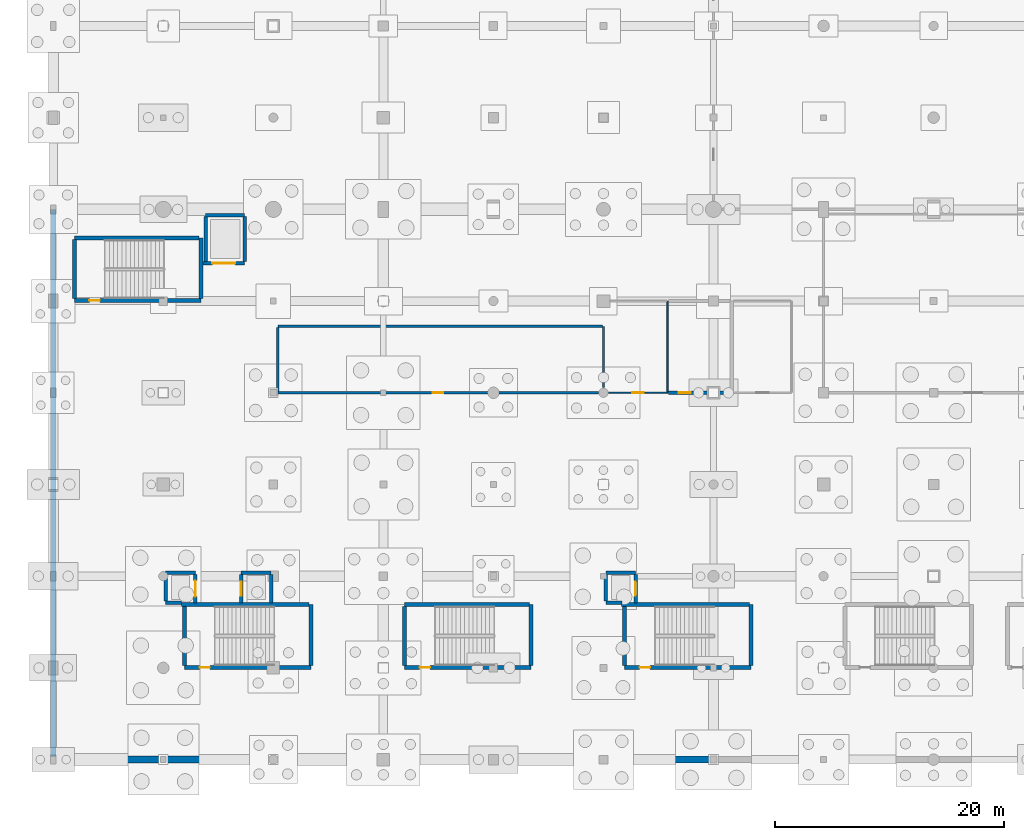
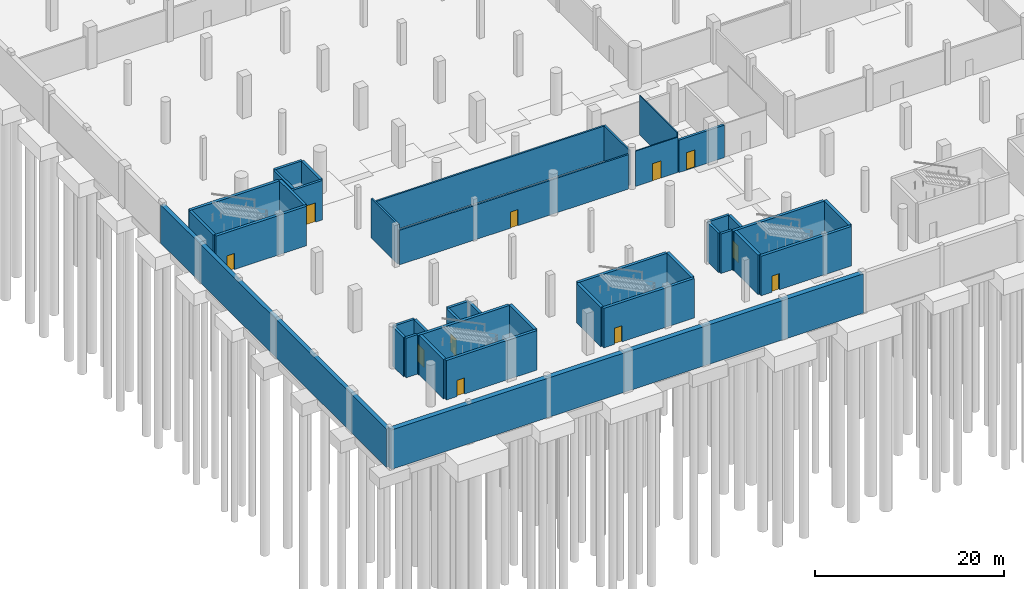
# One storey, part 18 of 44: 40 walls, 11 doors, 11 openings.
"""IFC4 building model written with IfcOpenShell, lengths in metres."""

from ifc_helpers import new_model, si_unit, direction, frame, frame_2d, origin, place, context, subcontext, project, spatial, rectangle, extrude, material, layer, layer_set, type_object, element, fill, save


model = new_model("IFC4")

# Units and contexts
model_context = context("Model", 3, precision=1e-05, world=origin(), true_north=direction((0.0, 1.0)))
body_context = subcontext(model_context, "Body", "Model", "MODEL_VIEW")
ifc_project = project(units=[si_unit("LENGTHUNIT", "METRE"), si_unit("AREAUNIT", "SQUARE_METRE"), si_unit("VOLUMEUNIT", "CUBIC_METRE"), si_unit("PLANEANGLEUNIT", "RADIAN"), si_unit("MASSUNIT", "GRAM", prefix="KILO")], contexts=[model_context])

# Site, building, storey
site_placement = place(None, origin())
site = spatial("IfcSite", under=ifc_project, at=site_placement, CompositionType="ELEMENT")
building_placement = place(site_placement, origin())
building = spatial("IfcBuilding", under=site, at=building_placement, Name="Danafjord Basin Convention Centre", CompositionType="ELEMENT")
storey_placement = place(building_placement, frame((0.0, 0.0, -5.39990234375)))
storey = spatial("IfcBuildingStorey", under=building, at=storey_placement, Name="B1", CompositionType="ELEMENT", Elevation=-5.39990234375)

# Walls
ifc_material_1 = material(Name="Concrete C40/50", Category="concrete")
ifc_layer_1 = layer(ifc_material_1, 0.300048828125)
ifc_layer_set_1 = layer_set([ifc_layer_1], Name="Concrete C40/50")
wall_type_1 = type_object("IfcWallType", Name="WALL-CW-CORE300", PredefinedType="SHEAR", material=ifc_layer_set_1)
wall_1_placement = place(storey_placement, frame((12.39990234375, 24.300048828125, 0.0), z_axis=(0.0, 0.0, 1.0), x_axis=(-1.0, 0.0, 0.0)))
element("IfcWall", 1, at=wall_1_placement, inside=storey, type_object=wall_type_1, Name="Lift LF-FF01 shaft shear wall", PredefinedType="SHEAR", context=body_context, shape_type="SweptSolid", body=[
    extrude(rectangle(XDim=2.599853515625, YDim=0.300048828125, at=frame_2d((1.2998046875, 0.0))), origin(), (0.0, 0.0, 1.0), 5.08984375),
])
wall_2_placement = place(storey_placement, frame((9.800048828125, 21.699951171875, 0.0), z_axis=(0.0, 0.0, 1.0), x_axis=(1.0, 0.0, 0.0)))
element("IfcWall", 2, at=wall_2_placement, inside=storey, type_object=wall_type_1, Name="Lift LF-FF01 shaft shear wall", PredefinedType="SHEAR", context=body_context, shape_type="SweptSolid", body=[
    extrude(rectangle(XDim=1.39990234375, YDim=0.300048828125, at=frame_2d((0.699951171875, 0.0))), origin(), (0.0, 0.0, 1.0), 5.08984375),
])

# Wall, opening, door
wall_3_placement = place(storey_placement, frame((12.39990234375, 21.6650390625, 0.0), z_axis=(0.0, 0.0, 1.0), x_axis=(0.0, 1.0, 0.0)))
wall_3 = element("IfcWall", 3, at=wall_3_placement, inside=storey, type_object=wall_type_1, Name="Lift LF-FF01 shaft shear wall", PredefinedType="SHEAR", context=body_context, shape_type="SweptSolid", body=[
    extrude(rectangle(XDim=2.5, YDim=0.300048828125, at=frame_2d((1.25, 0.0))), origin(), (0.0, 0.0, 1.0), 5.08984375),
])
opening_1_placement = place(wall_3_placement, frame((0.550048828125, 0.0, 0.0)))
opening_1 = element("IfcOpeningElement", 4, at=opening_1_placement, cuts=wall_3, Name="Opening LD-F01", PredefinedType="OPENING", context=body_context, shape_type="SweptSolid", body=[
    extrude(rectangle(XDim=1.39990234375, YDim=2.260009765625, at=frame_2d((0.699951171875, 1.1298828125))), frame((0.0, 0.159912109375, 0.0), z_axis=(0.0, -1.0, 0.0), x_axis=(1.0, 0.0, 0.0)), (0.0, 0.0, 1.0), 0.320068359375),
])
ifc_material_2 = material(Name="Brushed stainless steel and acoustic laminated glass", Category="steel")
door_type_1 = type_object("IfcDoorType", Name="DOOR-LD-F01", OperationType="DOUBLE_DOOR_SLIDING", PredefinedType="DOOR", material=ifc_material_2)
door_1_placement = place(opening_1_placement, origin())
door_1 = element("IfcDoor", 5, at=door_1_placement, inside=storey, type_object=door_type_1, Name="Lift LF-FF01 B1 Landing Door", OperationType="DOUBLE_DOOR_SLIDING", OverallHeight=2.260009765625, OverallWidth=1.39990234375, PredefinedType="DOOR", context=body_context, shape_type="SweptSolid", body=[
    extrude(rectangle(XDim=1.39990234375, YDim=2.260009765625, at=frame_2d((0.699951171875, 1.1298828125))), frame((0.0, 0.02490234375, 0.0), z_axis=(0.0, -1.0, 0.0), x_axis=(1.0, 0.0, 0.0)), (0.0, 0.0, 1.0), 0.050048828125),
])
fill(opening_1, door_1)

# Walls
wall_4_placement = place(storey_placement, frame((9.800048828125, 24.1650390625, 0.0), z_axis=(0.0, 0.0, 1.0), x_axis=(0.0, -1.0, 0.0)))
element("IfcWall", 6, at=wall_4_placement, inside=storey, type_object=wall_type_1, Name="Lift LF-FF01 shaft shear wall", PredefinedType="SHEAR", context=body_context, shape_type="SweptSolid", body=[
    extrude(rectangle(XDim=2.330078125, YDim=0.300048828125, at=frame_2d((1.1650390625, 0.0))), origin(), (0.0, 0.0, 1.0), 5.08984375),
])
wall_5_placement = place(storey_placement, frame((19.0, 24.300048828125, 0.0), z_axis=(0.0, 0.0, 1.0), x_axis=(-1.0, 0.0, 0.0)))
element("IfcWall", 7, at=wall_5_placement, inside=storey, type_object=wall_type_1, Name="Lift LF-P01 shaft shear wall", PredefinedType="SHEAR", context=body_context, shape_type="SweptSolid", body=[
    extrude(rectangle(XDim=2.60009765625, YDim=0.300048828125, at=frame_2d((1.300048828125, 0.0))), origin(), (0.0, 0.0, 1.0), 5.08984375),
])
wall_6_placement = place(storey_placement, frame((19.0, 21.6650390625, 0.0), z_axis=(0.0, 0.0, 1.0), x_axis=(0.0, 1.0, 0.0)))
element("IfcWall", 8, at=wall_6_placement, inside=storey, type_object=wall_type_1, Name="Lift LF-P01 shaft shear wall", PredefinedType="SHEAR", context=body_context, shape_type="SweptSolid", body=[
    extrude(rectangle(XDim=2.5, YDim=0.300048828125, at=frame_2d((1.25, 0.0))), origin(), (0.0, 0.0, 1.0), 5.08984375),
])

# Wall, opening, door
wall_7_placement = place(storey_placement, frame((16.39990234375, 24.1650390625, 0.0), z_axis=(0.0, 0.0, 1.0), x_axis=(0.0, -1.0, 0.0)))
wall_7 = element("IfcWall", 9, at=wall_7_placement, inside=storey, type_object=wall_type_1, Name="Lift LF-P01 shaft shear wall", PredefinedType="SHEAR", context=body_context, shape_type="SweptSolid", body=[
    extrude(rectangle(XDim=2.5, YDim=0.300048828125, at=frame_2d((1.25, 0.0))), origin(), (0.0, 0.0, 1.0), 5.08984375),
])
opening_2_placement = place(wall_7_placement, frame((0.64990234375, 0.0, 0.0)))
opening_2 = element("IfcOpeningElement", 10, at=opening_2_placement, cuts=wall_7, Name="Opening LD-P01", PredefinedType="OPENING", context=body_context, shape_type="SweptSolid", body=[
    extrude(rectangle(XDim=1.199951171875, YDim=2.199951171875, at=frame_2d((0.60009765625, 1.10009765625))), frame((0.0, 0.159912109375, 0.0), z_axis=(0.0, -1.0, 0.0), x_axis=(1.0, 0.0, 0.0)), (0.0, 0.0, 1.0), 0.320068359375),
])
door_type_2 = type_object("IfcDoorType", Name="DOOR-LD-P01", OperationType="DOUBLE_DOOR_SLIDING", PredefinedType="DOOR", material=ifc_material_2)
door_2_placement = place(opening_2_placement, origin())
door_2 = element("IfcDoor", 11, at=door_2_placement, inside=storey, type_object=door_type_2, Name="Lift LF-P01 B1 Landing Door", OperationType="DOUBLE_DOOR_SLIDING", OverallHeight=2.199951171875, OverallWidth=1.199951171875, PredefinedType="DOOR", context=body_context, shape_type="SweptSolid", body=[
    extrude(rectangle(XDim=1.199951171875, YDim=2.199951171875, at=frame_2d((0.60009765625, 1.10009765625))), frame((0.0, 0.02490234375, 0.0), z_axis=(0.0, -1.0, 0.0), x_axis=(1.0, 0.0, 0.0)), (0.0, 0.0, 1.0), 0.050048828125),
])
fill(opening_2, door_2)

# Walls
wall_8_placement = place(storey_placement, frame((50.800048828125, 24.300048828125, 0.0), z_axis=(0.0, 0.0, 1.0), x_axis=(-1.0, 0.0, 0.0)))
element("IfcWall", 12, at=wall_8_placement, inside=storey, type_object=wall_type_1, Name="Lift LF-P03 shaft shear wall", PredefinedType="SHEAR", context=body_context, shape_type="SweptSolid", body=[
    extrude(rectangle(XDim=2.60009765625, YDim=0.300048828125, at=frame_2d((1.300048828125, 0.0))), origin(), (0.0, 0.0, 1.0), 5.08984375),
])
wall_9_placement = place(storey_placement, frame((48.199951171875, 21.699951171875, 0.0), z_axis=(0.0, 0.0, 1.0), x_axis=(1.0, 0.0, 0.0)))
element("IfcWall", 13, at=wall_9_placement, inside=storey, type_object=wall_type_1, Name="Lift LF-P03 shaft shear wall", PredefinedType="SHEAR", context=body_context, shape_type="SweptSolid", body=[
    extrude(rectangle(XDim=1.400146484375, YDim=0.300048828125, at=frame_2d((0.7001953125, 0.0))), origin(), (0.0, 0.0, 1.0), 5.08984375),
])

# Wall, opening, door
wall_10_placement = place(storey_placement, frame((50.800048828125, 21.6650390625, 0.0), z_axis=(0.0, 0.0, 1.0), x_axis=(0.0, 1.0, 0.0)))
wall_10 = element("IfcWall", 14, at=wall_10_placement, inside=storey, type_object=wall_type_1, Name="Lift LF-P03 shaft shear wall", PredefinedType="SHEAR", context=body_context, shape_type="SweptSolid", body=[
    extrude(rectangle(XDim=2.5, YDim=0.300048828125, at=frame_2d((1.25, 0.0))), origin(), (0.0, 0.0, 1.0), 5.08984375),
])
opening_3_placement = place(wall_10_placement, frame((0.64990234375, 0.0, 0.0)))
opening_3 = element("IfcOpeningElement", 15, at=opening_3_placement, cuts=wall_10, Name="Opening LD-P01", PredefinedType="OPENING", context=body_context, shape_type="SweptSolid", body=[
    extrude(rectangle(XDim=1.199951171875, YDim=2.199951171875, at=frame_2d((0.60009765625, 1.10009765625))), frame((0.0, 0.159912109375, 0.0), z_axis=(0.0, -1.0, 0.0), x_axis=(1.0, 0.0, 0.0)), (0.0, 0.0, 1.0), 0.320068359375),
])
door_3_placement = place(opening_3_placement, origin())
door_3 = element("IfcDoor", 16, at=door_3_placement, inside=storey, type_object=door_type_2, Name="Lift LF-P03 B1 Landing Door", OperationType="DOUBLE_DOOR_SLIDING", OverallHeight=2.199951171875, OverallWidth=1.199951171875, PredefinedType="DOOR", context=body_context, shape_type="SweptSolid", body=[
    extrude(rectangle(XDim=1.199951171875, YDim=2.199951171875, at=frame_2d((0.60009765625, 1.10009765625))), frame((0.0, 0.02490234375, 0.0), z_axis=(0.0, -1.0, 0.0), x_axis=(1.0, 0.0, 0.0)), (0.0, 0.0, 1.0), 0.050048828125),
])
fill(opening_3, door_3)

# Walls
wall_11_placement = place(storey_placement, frame((48.199951171875, 24.1650390625, 0.0), z_axis=(0.0, 0.0, 1.0), x_axis=(0.0, -1.0, 0.0)))
element("IfcWall", 17, at=wall_11_placement, inside=storey, type_object=wall_type_1, Name="Lift LF-P03 shaft shear wall", PredefinedType="SHEAR", context=body_context, shape_type="SweptSolid", body=[
    extrude(rectangle(XDim=2.330078125, YDim=0.300048828125, at=frame_2d((1.1650390625, 0.0))), origin(), (0.0, 0.0, 1.0), 5.08984375),
])
wall_12_placement = place(storey_placement, frame((16.699951171875, 55.5, 0.0), z_axis=(0.0, 0.0, 1.0), x_axis=(-1.0, 0.0, 0.0)))
element("IfcWall", 18, at=wall_12_placement, inside=storey, type_object=wall_type_1, Name="Lift LF-G01 shaft shear wall", PredefinedType="SHEAR", context=body_context, shape_type="SweptSolid", body=[
    extrude(rectangle(XDim=3.39990234375, YDim=0.300048828125, at=frame_2d((1.699951171875, 0.0))), origin(), (0.0, 0.0, 1.0), 5.08984375),
])

# Wall, opening, door
wall_13_placement = place(storey_placement, frame((13.044921875, 51.300048828125, 0.0), z_axis=(0.0, 0.0, 1.0), x_axis=(1.0, 0.0, 0.0)))
wall_13 = element("IfcWall", 19, at=wall_13_placement, inside=storey, type_object=wall_type_1, Name="Lift LF-G01 shaft shear wall", PredefinedType="SHEAR", context=body_context, shape_type="SweptSolid", body=[
    extrude(rectangle(XDim=3.655029296875, YDim=0.300048828125, at=frame_2d((1.82763671875, 0.0))), origin(), (0.0, 0.0, 1.0), 5.08984375),
])
opening_4_placement = place(wall_13_placement, frame((0.826904296875, 0.0, 0.0)))
opening_4 = element("IfcOpeningElement", 20, at=opening_4_placement, cuts=wall_13, Name="Opening LD-G01", PredefinedType="OPENING", context=body_context, shape_type="SweptSolid", body=[
    extrude(rectangle(XDim=2.0, YDim=2.5, at=frame_2d((1.0, 1.25))), frame((0.0, 0.159912109375, 0.0), z_axis=(0.0, -1.0, 0.0), x_axis=(1.0, 0.0, 0.0)), (0.0, 0.0, 1.0), 0.320068359375),
])
door_type_3 = type_object("IfcDoorType", Name="DOOR-LD-G01", OperationType="DOUBLE_DOOR_SLIDING", PredefinedType="DOOR", material=ifc_material_2)
door_4_placement = place(opening_4_placement, origin())
door_4 = element("IfcDoor", 21, at=door_4_placement, inside=storey, type_object=door_type_3, Name="Lift LF-G01 B1 Landing Door", OperationType="DOUBLE_DOOR_SLIDING", OverallHeight=2.5, OverallWidth=2.0, PredefinedType="DOOR", context=body_context, shape_type="SweptSolid", body=[
    extrude(rectangle(XDim=2.0, YDim=2.5, at=frame_2d((1.0, 1.25))), frame((0.0, 0.02490234375, 0.0), z_axis=(0.0, -1.0, 0.0), x_axis=(1.0, 0.0, 0.0)), (0.0, 0.0, 1.0), 0.050048828125),
])
fill(opening_4, door_4)

# Walls
for number, where, z_axis, x_axis, name in (
    (22, (16.699951171875, 51.43505859375, 0.0), (0.0, 0.0, 1.0), (0.0, 1.0, 0.0), "Lift LF-G01 shaft shear wall"),
    (23, (13.300048828125, 55.364990234375, 0.0), (0.0, 0.0, 1.0), (0.0, -1.0, 0.0), "Lift LF-G01 shaft shear wall"),
):
    element("IfcWall", number, at=place(storey_placement, frame(where, z_axis=z_axis, x_axis=x_axis)), inside=storey, type_object=wall_type_1, Name=name, PredefinedType="SHEAR", context=body_context, shape_type="SweptSolid", body=[
        extrude(rectangle(XDim=3.929931640625, YDim=0.300048828125, at=frame_2d((1.96484375, 0.0))), origin(), (0.0, 0.0, 1.0), 5.08984375),
    ])

# Wall, opening, door
ifc_material_3 = material(Name="Concrete C45/55", Category="concrete")
ifc_layer_2 = layer(ifc_material_3, 0.35009765625)
ifc_layer_set_2 = layer_set([ifc_layer_2], Name="Concrete C45/55")
wall_type_2 = type_object("IfcWallType", Name="WALL-CW-CORE350", PredefinedType="SHEAR", material=ifc_layer_set_2)
wall_14_placement = place(storey_placement, frame((11.449951171875, 16.050048828125, 0.0), z_axis=(0.0, 0.0, 1.0), x_axis=(1.0, 0.0, 0.0)))
wall_14 = element("IfcWall", 24, at=wall_14_placement, inside=storey, type_object=wall_type_2, Name="West Harbour Core Stair 1 core shear wall (south)", PredefinedType="SHEAR", context=body_context, shape_type="SweptSolid", body=[
    extrude(rectangle(XDim=11.0400390625, YDim=0.35009765625, at=frame_2d((5.52001953125, 0.0))), origin(), (0.0, 0.0, 1.0), 5.08984375),
])
opening_5_placement = place(wall_14_placement, frame((1.31201171875, 0.0, 0.0)))
opening_5 = element("IfcOpeningElement", 25, at=opening_5_placement, cuts=wall_14, Name="Opening FD-S01", PredefinedType="OPENING", context=body_context, shape_type="SweptSolid", body=[
    extrude(rectangle(XDim=0.909912109375, YDim=2.080078125, at=frame_2d((0.455078125, 1.0400390625))), frame((0.0, 0.18505859375, 0.0), z_axis=(0.0, -1.0, 0.0), x_axis=(1.0, 0.0, 0.0)), (0.0, 0.0, 1.0), 0.3701171875),
])
ifc_material_4 = material(Name="Powder-coated steel and Nordic oak", Category="steel")
door_type_4 = type_object("IfcDoorType", Name="DOOR-FD-S01", OperationType="NOTDEFINED", PredefinedType="DOOR", material=ifc_material_4)
door_5_placement = place(opening_5_placement, origin())
door_5 = element("IfcDoor", 26, at=door_5_placement, inside=storey, type_object=door_type_4, Name="West Harbour Core Stair 1 B1 Fire Exit Door", OperationType="SINGLE_SWING_LEFT", OverallHeight=2.080078125, OverallWidth=0.909912109375, PredefinedType="DOOR", context=body_context, shape_type="SweptSolid", body=[
    extrude(rectangle(XDim=0.909912109375, YDim=2.080078125, at=frame_2d((0.455078125, 1.0400390625))), frame((0.0, 0.02490234375, 0.0), z_axis=(0.0, -1.0, 0.0), x_axis=(1.0, 0.0, 0.0)), (0.0, 0.0, 1.0), 0.050048828125),
])
fill(opening_5, door_5)

# Walls
wall_15_placement = place(storey_placement, frame((22.489990234375, 16.2099609375, 0.0), z_axis=(0.0, 0.0, 1.0), x_axis=(0.0, 1.0, 0.0)))
element("IfcWall", 27, at=wall_15_placement, inside=storey, type_object=wall_type_2, Name="West Harbour Core Stair 1 core shear wall (east)", PredefinedType="SHEAR", context=body_context, shape_type="SweptSolid", body=[
    extrude(rectangle(XDim=5.300048828125, YDim=0.35009765625, at=frame_2d((2.64990234375, 0.0))), origin(), (0.0, 0.0, 1.0), 5.08984375),
])
wall_16_placement = place(storey_placement, frame((22.330078125, 21.510009765625, 0.0), z_axis=(0.0, 0.0, 1.0), x_axis=(-1.0, 0.0, 0.0)))
element("IfcWall", 28, at=wall_16_placement, inside=storey, type_object=wall_type_2, Name="West Harbour Core Stair 1 core shear wall (north)", PredefinedType="SHEAR", context=body_context, shape_type="SweptSolid", body=[
    extrude(rectangle(XDim=11.150146484375, YDim=0.35009765625, at=frame_2d((5.5751953125, 0.0))), origin(), (0.0, 0.0, 1.0), 5.08984375),
])
wall_17_placement = place(storey_placement, frame((11.449951171875, 21.35009765625, 0.0), z_axis=(0.0, 0.0, 1.0), x_axis=(0.0, -1.0, 0.0)))
element("IfcWall", 29, at=wall_17_placement, inside=storey, type_object=wall_type_2, Name="West Harbour Core Stair 1 core shear wall (west)", PredefinedType="SHEAR", context=body_context, shape_type="SweptSolid", body=[
    extrude(rectangle(XDim=5.14013671875, YDim=0.35009765625, at=frame_2d((2.570068359375, 0.0))), origin(), (0.0, 0.0, 1.0), 5.08984375),
])

# Wall, opening, door
wall_18_placement = place(storey_placement, frame((49.85009765625, 16.050048828125, 0.0), z_axis=(0.0, 0.0, 1.0), x_axis=(1.0, 0.0, 0.0)))
wall_18 = element("IfcWall", 30, at=wall_18_placement, inside=storey, type_object=wall_type_2, Name="Mid-Arc Meeting Core Stair 1 core shear wall (south)", PredefinedType="SHEAR", context=body_context, shape_type="SweptSolid", body=[
    extrude(rectangle(XDim=11.039794921875, YDim=0.35009765625, at=frame_2d((5.52001953125, 0.0))), origin(), (0.0, 0.0, 1.0), 5.08984375),
])
opening_6_placement = place(wall_18_placement, frame((1.31201171875, 0.0, 0.0)))
opening_6 = element("IfcOpeningElement", 31, at=opening_6_placement, cuts=wall_18, Name="Opening FD-S01", PredefinedType="OPENING", context=body_context, shape_type="SweptSolid", body=[
    extrude(rectangle(XDim=0.909912109375, YDim=2.080078125, at=frame_2d((0.455078125, 1.0400390625))), frame((0.0, 0.18505859375, 0.0), z_axis=(0.0, -1.0, 0.0), x_axis=(1.0, 0.0, 0.0)), (0.0, 0.0, 1.0), 0.3701171875),
])
door_6_placement = place(opening_6_placement, origin())
door_6 = element("IfcDoor", 32, at=door_6_placement, inside=storey, type_object=door_type_4, Name="Mid-Arc Meeting Core Stair 1 B1 Fire Exit Door", OperationType="SINGLE_SWING_LEFT", OverallHeight=2.080078125, OverallWidth=0.909912109375, PredefinedType="DOOR", context=body_context, shape_type="SweptSolid", body=[
    extrude(rectangle(XDim=0.909912109375, YDim=2.080078125, at=frame_2d((0.455078125, 1.0400390625))), frame((0.0, 0.02490234375, 0.0), z_axis=(0.0, -1.0, 0.0), x_axis=(1.0, 0.0, 0.0)), (0.0, 0.0, 1.0), 0.050048828125),
])
fill(opening_6, door_6)

# Walls
wall_19_placement = place(storey_placement, frame((60.889892578125, 16.2099609375, 0.0), z_axis=(0.0, 0.0, 1.0), x_axis=(0.0, 1.0, 0.0)))
element("IfcWall", 33, at=wall_19_placement, inside=storey, type_object=wall_type_2, Name="Mid-Arc Meeting Core Stair 1 core shear wall (east)", PredefinedType="SHEAR", context=body_context, shape_type="SweptSolid", body=[
    extrude(rectangle(XDim=5.300048828125, YDim=0.35009765625, at=frame_2d((2.64990234375, 0.0))), origin(), (0.0, 0.0, 1.0), 5.08984375),
])
wall_20_placement = place(storey_placement, frame((60.72998046875, 21.510009765625, 0.0), z_axis=(0.0, 0.0, 1.0), x_axis=(-1.0, 0.0, 0.0)))
element("IfcWall", 34, at=wall_20_placement, inside=storey, type_object=wall_type_2, Name="Mid-Arc Meeting Core Stair 1 core shear wall (north)", PredefinedType="SHEAR", context=body_context, shape_type="SweptSolid", body=[
    extrude(rectangle(XDim=11.14990234375, YDim=0.35009765625, at=frame_2d((5.574951171875, 0.0))), origin(), (0.0, 0.0, 1.0), 5.08984375),
])
wall_21_placement = place(storey_placement, frame((49.85009765625, 21.35009765625, 0.0), z_axis=(0.0, 0.0, 1.0), x_axis=(0.0, -1.0, 0.0)))
element("IfcWall", 35, at=wall_21_placement, inside=storey, type_object=wall_type_2, Name="Mid-Arc Meeting Core Stair 1 core shear wall (west)", PredefinedType="SHEAR", context=body_context, shape_type="SweptSolid", body=[
    extrude(rectangle(XDim=5.14013671875, YDim=0.35009765625, at=frame_2d((2.570068359375, 0.0))), origin(), (0.0, 0.0, 1.0), 5.08984375),
])

# Wall, opening, door
wall_22_placement = place(storey_placement, frame((1.85009765625, 48.050048828125, 0.0), z_axis=(0.0, 0.0, 1.0), x_axis=(1.0, 0.0, 0.0)))
wall_22 = element("IfcWall", 36, at=wall_22_placement, inside=storey, type_object=wall_type_2, Name="West Exhibition Core Stair 1 core shear wall (south)", PredefinedType="SHEAR", context=body_context, shape_type="SweptSolid", body=[
    extrude(rectangle(XDim=11.039794921875, YDim=0.35009765625, at=frame_2d((5.52001953125, 0.0))), origin(), (0.0, 0.0, 1.0), 5.08984375),
])
opening_7_placement = place(wall_22_placement, frame((1.31201171875, 0.0, 0.0)))
opening_7 = element("IfcOpeningElement", 37, at=opening_7_placement, cuts=wall_22, Name="Opening FD-S01", PredefinedType="OPENING", context=body_context, shape_type="SweptSolid", body=[
    extrude(rectangle(XDim=0.909912109375, YDim=2.080078125, at=frame_2d((0.455078125, 1.0400390625))), frame((0.0, 0.18505859375, 0.0), z_axis=(0.0, -1.0, 0.0), x_axis=(1.0, 0.0, 0.0)), (0.0, 0.0, 1.0), 0.3701171875),
])
door_7_placement = place(opening_7_placement, origin())
door_7 = element("IfcDoor", 38, at=door_7_placement, inside=storey, type_object=door_type_4, Name="West Exhibition Core Stair 1 B1 Fire Exit Door", OperationType="SINGLE_SWING_LEFT", OverallHeight=2.080078125, OverallWidth=0.909912109375, PredefinedType="DOOR", context=body_context, shape_type="SweptSolid", body=[
    extrude(rectangle(XDim=0.909912109375, YDim=2.080078125, at=frame_2d((0.455078125, 1.0400390625))), frame((0.0, 0.02490234375, 0.0), z_axis=(0.0, -1.0, 0.0), x_axis=(1.0, 0.0, 0.0)), (0.0, 0.0, 1.0), 0.050048828125),
])
fill(opening_7, door_7)

# Walls
wall_23_placement = place(storey_placement, frame((12.889892578125, 48.2099609375, 0.0), z_axis=(0.0, 0.0, 1.0), x_axis=(0.0, 1.0, 0.0)))
element("IfcWall", 39, at=wall_23_placement, inside=storey, type_object=wall_type_2, Name="West Exhibition Core Stair 1 core shear wall (east)", PredefinedType="SHEAR", context=body_context, shape_type="SweptSolid", body=[
    extrude(rectangle(XDim=5.300048828125, YDim=0.35009765625, at=frame_2d((2.64990234375, 0.0))), origin(), (0.0, 0.0, 1.0), 5.08984375),
])
wall_24_placement = place(storey_placement, frame((12.72998046875, 53.510009765625, 0.0), z_axis=(0.0, 0.0, 1.0), x_axis=(-1.0, 0.0, 0.0)))
element("IfcWall", 40, at=wall_24_placement, inside=storey, type_object=wall_type_2, Name="West Exhibition Core Stair 1 core shear wall (north)", PredefinedType="SHEAR", context=body_context, shape_type="SweptSolid", body=[
    extrude(rectangle(XDim=10.8798828125, YDim=0.35009765625, at=frame_2d((5.43994140625, 0.0))), origin(), (0.0, 0.0, 1.0), 5.08984375),
])
wall_25_placement = place(storey_placement, frame((1.85009765625, 53.35009765625, 0.0), z_axis=(0.0, 0.0, 1.0), x_axis=(0.0, -1.0, 0.0)))
element("IfcWall", 41, at=wall_25_placement, inside=storey, type_object=wall_type_2, Name="West Exhibition Core Stair 1 core shear wall (west)", PredefinedType="SHEAR", context=body_context, shape_type="SweptSolid", body=[
    extrude(rectangle(XDim=5.14013671875, YDim=0.35009765625, at=frame_2d((2.570068359375, 0.0))), origin(), (0.0, 0.0, 1.0), 5.08984375),
])

# Wall, opening, door
wall_26_placement = place(storey_placement, frame((30.64990234375, 16.050048828125, 0.0), z_axis=(0.0, 0.0, 1.0), x_axis=(1.0, 0.0, 0.0)))
wall_26 = element("IfcWall", 42, at=wall_26_placement, inside=storey, type_object=wall_type_2, Name="West Harbour Escape Stair 2 core shear wall (south)", PredefinedType="SHEAR", context=body_context, shape_type="SweptSolid", body=[
    extrude(rectangle(XDim=11.0400390625, YDim=0.35009765625, at=frame_2d((5.52001953125, 0.0))), origin(), (0.0, 0.0, 1.0), 5.08984375),
])
opening_8_placement = place(wall_26_placement, frame((1.31201171875, 0.0, 0.0)))
opening_8 = element("IfcOpeningElement", 43, at=opening_8_placement, cuts=wall_26, Name="Opening FD-S01", PredefinedType="OPENING", context=body_context, shape_type="SweptSolid", body=[
    extrude(rectangle(XDim=0.909912109375, YDim=2.080078125, at=frame_2d((0.455078125, 1.0400390625))), frame((0.0, 0.18505859375, 0.0), z_axis=(0.0, -1.0, 0.0), x_axis=(1.0, 0.0, 0.0)), (0.0, 0.0, 1.0), 0.3701171875),
])
door_8_placement = place(opening_8_placement, origin())
door_8 = element("IfcDoor", 44, at=door_8_placement, inside=storey, type_object=door_type_4, Name="West Harbour Escape Stair 2 B1 Fire Exit Door", OperationType="SINGLE_SWING_RIGHT", OverallHeight=2.080078125, OverallWidth=0.909912109375, PredefinedType="DOOR", context=body_context, shape_type="SweptSolid", body=[
    extrude(rectangle(XDim=0.909912109375, YDim=2.080078125, at=frame_2d((0.455078125, 1.0400390625))), frame((0.0, 0.02490234375, 0.0), z_axis=(0.0, -1.0, 0.0), x_axis=(1.0, 0.0, 0.0)), (0.0, 0.0, 1.0), 0.050048828125),
])
fill(opening_8, door_8)

# Walls
wall_27_placement = place(storey_placement, frame((41.68994140625, 16.2099609375, 0.0), z_axis=(0.0, 0.0, 1.0), x_axis=(0.0, 1.0, 0.0)))
element("IfcWall", 45, at=wall_27_placement, inside=storey, type_object=wall_type_2, Name="West Harbour Escape Stair 2 core shear wall (east)", PredefinedType="SHEAR", context=body_context, shape_type="SweptSolid", body=[
    extrude(rectangle(XDim=5.300048828125, YDim=0.35009765625, at=frame_2d((2.64990234375, 0.0))), origin(), (0.0, 0.0, 1.0), 5.08984375),
])
wall_28_placement = place(storey_placement, frame((41.530029296875, 21.510009765625, 0.0), z_axis=(0.0, 0.0, 1.0), x_axis=(-1.0, 0.0, 0.0)))
element("IfcWall", 46, at=wall_28_placement, inside=storey, type_object=wall_type_2, Name="West Harbour Escape Stair 2 core shear wall (north)", PredefinedType="SHEAR", context=body_context, shape_type="SweptSolid", body=[
    extrude(rectangle(XDim=10.880126953125, YDim=0.35009765625, at=frame_2d((5.43994140625, 0.0))), origin(), (0.0, 0.0, 1.0), 5.08984375),
])
wall_29_placement = place(storey_placement, frame((30.64990234375, 21.35009765625, 0.0), z_axis=(0.0, 0.0, 1.0), x_axis=(0.0, -1.0, 0.0)))
element("IfcWall", 47, at=wall_29_placement, inside=storey, type_object=wall_type_2, Name="West Harbour Escape Stair 2 core shear wall (west)", PredefinedType="SHEAR", context=body_context, shape_type="SweptSolid", body=[
    extrude(rectangle(XDim=5.14013671875, YDim=0.35009765625, at=frame_2d((2.570068359375, 0.0))), origin(), (0.0, 0.0, 1.0), 5.08984375),
])
ifc_layer_3 = layer(ifc_material_1, 0.5)
ifc_layer_set_3 = layer_set([ifc_layer_3], Name="Concrete C40/50")
wall_type_3 = type_object("IfcWallType", Name="WALL-EW-RET500", PredefinedType="SHEAR", material=ifc_layer_set_3)
wall_30_placement = place(storey_placement, frame((0.0, 8.284912109375, 0.0), z_axis=(0.0, 0.0, 1.0), x_axis=(0.0, 1.0, 0.0)))
element("IfcWall", 48, at=wall_30_placement, inside=storey, type_object=wall_type_3, Name="B1 waterproofed basement retaining wall 28", PredefinedType="SHEAR", context=body_context, shape_type="SweptSolid", body=[
    extrude(rectangle(XDim=47.715087890625, YDim=0.5, at=frame_2d((23.857421875, 0.0))), origin(), (0.0, 0.0, 1.0), 4.949951171875),
])
ifc_layer_4 = layer(ifc_material_1, 0.60009765625)
ifc_layer_set_4 = layer_set([ifc_layer_4], Name="Concrete C40/50")
wall_type_4 = type_object("IfcWallType", Name="WALL-EW-RET600", PredefinedType="SHEAR", material=ifc_layer_set_4)
wall_31_placement = place(storey_placement, frame((57.60009765625, 8.0, 0.0), z_axis=(0.0, 0.0, 1.0), x_axis=(-1.0, 0.0, 0.0)))
element("IfcWall", 49, at=wall_31_placement, inside=storey, type_object=wall_type_4, Name="B1 waterproofed basement retaining wall 27", PredefinedType="SHEAR", context=body_context, shape_type="SweptSolid", body=[
    extrude(rectangle(XDim=57.60009765625, YDim=0.60009765625, at=frame_2d((28.800048828125, 0.0))), origin(), (0.0, 0.0, 1.0), 5.08984375),
])

# Wall, opening, door
ifc_material_5 = material(Name="Sanitary service-chase stud wall")
ifc_layer_5 = layer(ifc_material_5, 0.284912109375)
ifc_layer_set_5 = layer_set([ifc_layer_5], Name="Sanitary service-chase stud wall")
wall_type_5 = type_object("IfcWallType", Name="WALL-PT-PLB285", PredefinedType="PLUMBINGWALL", material=ifc_layer_set_5)
wall_32_placement = place(storey_placement, frame((53.6640625, 40.0, 0.0), z_axis=(0.0, 0.0, 1.0), x_axis=(1.0, 0.0, 0.0)))
wall_32 = element("IfcWall", 50, at=wall_32_placement, inside=storey, type_object=wall_type_5, Name="Basement Staff Female Toilet south partition", PredefinedType="PLUMBINGWALL", context=body_context, shape_type="SweptSolid", body=[
    extrude(rectangle(XDim=5.535888671875, YDim=0.284912109375, at=frame_2d((2.76806640625, 0.0))), origin(), (0.0, 0.0, 1.0), 4.18994140625),
])
opening_9_placement = place(wall_32_placement, frame((0.89892578125, 0.0, 0.0)))
opening_9 = element("IfcOpeningElement", 51, at=opening_9_placement, cuts=wall_32, Name="Opening FD-S13", PredefinedType="OPENING", context=body_context, shape_type="SweptSolid", body=[
    extrude(rectangle(XDim=1.0400390625, YDim=2.239990234375, at=frame_2d((0.52001953125, 1.1201171875))), frame((0.0, 0.15234375, 0.0), z_axis=(0.0, -1.0, 0.0), x_axis=(1.0, 0.0, 0.0)), (0.0, 0.0, 1.0), 0.304931640625),
])
door_type_5 = type_object("IfcDoorType", Name="DOOR-FD-S13", OperationType="NOTDEFINED", PredefinedType="DOOR", material=ifc_material_4)
door_9_placement = place(opening_9_placement, origin())
door_9 = element("IfcDoor", 52, at=door_9_placement, inside=storey, type_object=door_type_5, Name="Basement Staff Female Toilet Entrance Door", OperationType="SINGLE_SWING_LEFT", OverallHeight=2.239990234375, OverallWidth=1.0400390625, PredefinedType="DOOR", context=body_context, shape_type="SweptSolid", body=[
    extrude(rectangle(XDim=1.0400390625, YDim=2.239990234375, at=frame_2d((0.52001953125, 1.1201171875))), frame((0.0, 0.02490234375, 0.0), z_axis=(0.0, -1.0, 0.0), x_axis=(1.0, 0.0, 0.0)), (0.0, 0.0, 1.0), 0.050048828125),
])
fill(opening_9, door_9)

ifc_material_6 = material(Name="Moisture-resistant gypsum stud partition")
ifc_layer_6 = layer(ifc_material_6, 0.1201171875)
ifc_layer_set_6 = layer_set([ifc_layer_6], Name="Moisture-resistant gypsum stud partition")
wall_type_6 = type_object("IfcWallType", Name="WALL-PT-ST120", PredefinedType="PARTITIONING", material=ifc_layer_set_6)
wall_33_placement = place(storey_placement, frame((48.43994140625, 40.0, 0.0), z_axis=(0.0, 0.0, 1.0), x_axis=(1.0, 0.0, 0.0)))
wall_33 = element("IfcWall", 53, at=wall_33_placement, inside=storey, type_object=wall_type_6, Name="Basement Staff Male Toilet south partition", PredefinedType="PARTITIONING", context=body_context, shape_type="SweptSolid", body=[
    extrude(rectangle(XDim=5.16015625, YDim=0.1201171875, at=frame_2d((2.580078125, 0.0))), origin(), (0.0, 0.0, 1.0), 4.559814453125),
])
opening_10_placement = place(wall_33_placement, frame((2.074951171875, 0.0, 0.0)))
opening_10 = element("IfcOpeningElement", 54, at=opening_10_placement, cuts=wall_33, Name="Opening FD-S12", PredefinedType="OPENING", context=body_context, shape_type="SweptSolid", body=[
    extrude(rectangle(XDim=1.010009765625, YDim=2.219970703125, at=frame_2d((0.5048828125, 1.10986328125))), frame((0.0, 0.070068359375, 0.0), z_axis=(0.0, -1.0, 0.0), x_axis=(1.0, 0.0, 0.0)), (0.0, 0.0, 1.0), 0.14013671875),
])
door_type_6 = type_object("IfcDoorType", Name="DOOR-FD-S12", OperationType="NOTDEFINED", PredefinedType="DOOR", material=ifc_material_4)
door_10_placement = place(opening_10_placement, origin())
door_10 = element("IfcDoor", 55, at=door_10_placement, inside=storey, type_object=door_type_6, Name="Basement Staff Male Toilet Entrance Door", OperationType="SINGLE_SWING_RIGHT", OverallHeight=2.219970703125, OverallWidth=1.010009765625, PredefinedType="DOOR", context=body_context, shape_type="SweptSolid", body=[
    extrude(rectangle(XDim=1.010009765625, YDim=2.219970703125, at=frame_2d((0.5048828125, 1.10986328125))), frame((0.0, 0.02490234375, 0.0), z_axis=(0.0, -1.0, 0.0), x_axis=(1.0, 0.0, 0.0)), (0.0, 0.0, 1.0), 0.050048828125),
])
fill(opening_10, door_10)

# Wall
wall_34_placement = place(storey_placement, frame((53.60009765625, 40.06396484375, 0.0), z_axis=(0.0, 0.0, 1.0), x_axis=(0.0, 1.0, 0.0)))
element("IfcWall", 56, at=wall_34_placement, inside=storey, type_object=wall_type_6, Name="Basement Staff Male Toilet east partition", PredefinedType="PARTITIONING", context=body_context, shape_type="SweptSolid", body=[
    extrude(rectangle(XDim=7.93603515625, YDim=0.1201171875, at=frame_2d((3.968017578125, 0.0))), origin(), (0.0, 0.0, 1.0), 5.08984375),
])

# Wall, opening, door
ifc_material_7 = material(Name="Concrete C35/45", Category="concrete")
ifc_layer_7 = layer(ifc_material_7, 0.205078125)
ifc_layer_set_7 = layer_set([ifc_layer_7], Name="Concrete C35/45")
wall_type_7 = type_object("IfcWallType", Name="WALL-W-COMP205", PredefinedType="SOLIDWALL", material=ifc_layer_set_7)
wall_35_placement = place(storey_placement, frame((19.60009765625, 40.0, 0.0), z_axis=(0.0, 0.0, 1.0), x_axis=(1.0, 0.0, 0.0)))
wall_35 = element("IfcWall", 57, at=wall_35_placement, inside=storey, type_object=wall_type_7, Name="Basement Exhibition Storage Hall West south partition", PredefinedType="SOLIDWALL", context=body_context, shape_type="SweptSolid", body=[
    extrude(rectangle(XDim=27.9599609375, YDim=0.205078125, at=frame_2d((13.97998046875, 0.0))), origin(), (0.0, 0.0, 1.0), 4.4599609375),
])
opening_11_placement = place(wall_35_placement, frame((13.52490234375, 0.0, 0.0)))
opening_11 = element("IfcOpeningElement", 58, at=opening_11_placement, cuts=wall_35, Name="Opening FD-S01", PredefinedType="OPENING", context=body_context, shape_type="SweptSolid", body=[
    extrude(rectangle(XDim=0.909912109375, YDim=2.080078125, at=frame_2d((0.455078125, 1.0400390625))), frame((0.0, 0.112548828125, 0.0), z_axis=(0.0, -1.0, 0.0), x_axis=(1.0, 0.0, 0.0)), (0.0, 0.0, 1.0), 0.22509765625),
])
door_11_placement = place(opening_11_placement, origin())
door_11 = element("IfcDoor", 59, at=door_11_placement, inside=storey, type_object=door_type_4, Name="Basement Exhibition Storage Hall West Entrance Door", OperationType="SINGLE_SWING_RIGHT", OverallHeight=2.080078125, OverallWidth=0.909912109375, PredefinedType="DOOR", context=body_context, shape_type="SweptSolid", body=[
    extrude(rectangle(XDim=0.909912109375, YDim=2.080078125, at=frame_2d((0.455078125, 1.0400390625))), frame((0.0, 0.02490234375, 0.0), z_axis=(0.0, -1.0, 0.0), x_axis=(1.0, 0.0, 0.0)), (0.0, 0.0, 1.0), 0.050048828125),
])
fill(opening_11, door_11)

# Walls
wall_36_placement = place(storey_placement, frame((48.0, 40.43994140625, 0.0), z_axis=(0.0, 0.0, 1.0), x_axis=(0.0, 1.0, 0.0)))
element("IfcWall", 60, at=wall_36_placement, inside=storey, type_object=wall_type_7, Name="Basement Exhibition Storage Hall West east partition", PredefinedType="SOLIDWALL", context=body_context, shape_type="SweptSolid", body=[
    extrude(rectangle(XDim=5.360107421875, YDim=0.205078125, at=frame_2d((2.68017578125, 0.0))), origin(), (0.0, 0.0, 1.0), 4.539794921875),
])
wall_37_placement = place(storey_placement, frame((47.8935546875, 45.800048828125, 0.0), z_axis=(0.0, 0.0, 1.0), x_axis=(-1.0, 0.0, 0.0)))
element("IfcWall", 61, at=wall_37_placement, inside=storey, type_object=wall_type_7, Name="Basement Exhibition Storage Hall West north partition", PredefinedType="SOLIDWALL", context=body_context, shape_type="SweptSolid", body=[
    extrude(rectangle(XDim=28.29345703125, YDim=0.205078125, at=frame_2d((14.146728515625, 0.0))), origin(), (0.0, 0.0, 1.0), 4.489990234375),
])
wall_38_placement = place(storey_placement, frame((19.60009765625, 45.693603515625, 0.0), z_axis=(0.0, 0.0, 1.0), x_axis=(0.0, -1.0, 0.0)))
element("IfcWall", 62, at=wall_38_placement, inside=storey, type_object=wall_type_7, Name="Basement Exhibition Storage Hall West west partition", PredefinedType="SOLIDWALL", context=body_context, shape_type="SweptSolid", body=[
    extrude(rectangle(XDim=5.587158203125, YDim=0.205078125, at=frame_2d((2.79345703125, 0.0))), origin(), (0.0, 0.0, 1.0), 5.08984375),
])

save(model, "model.ifc")
